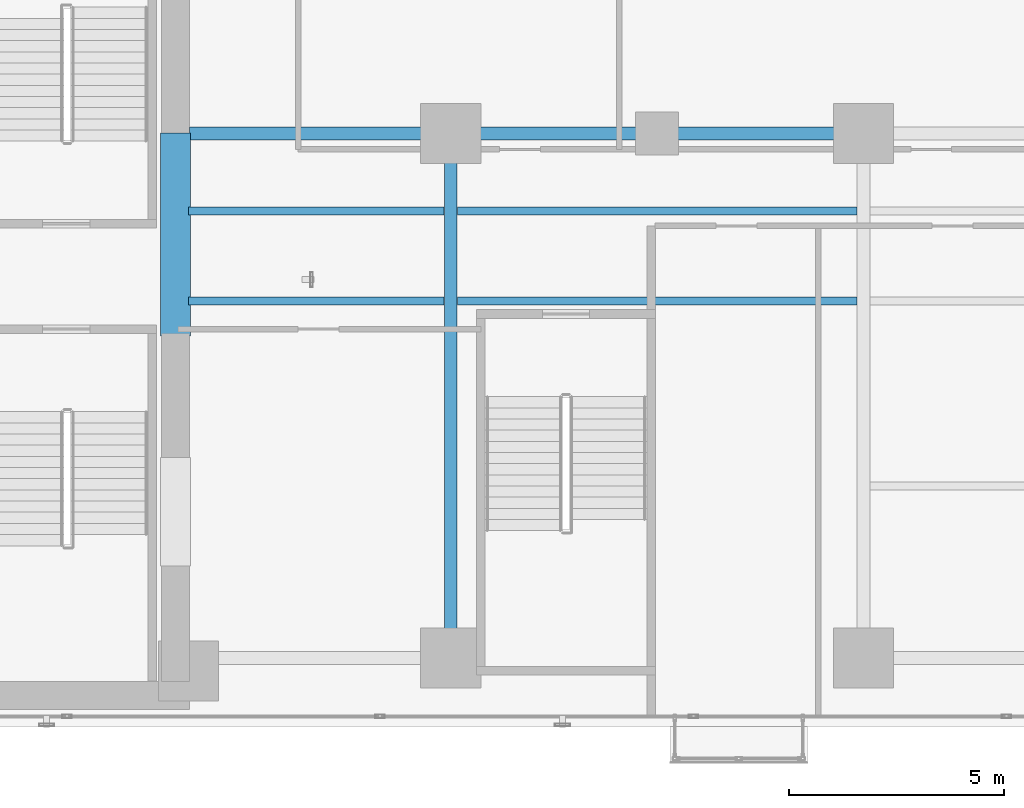
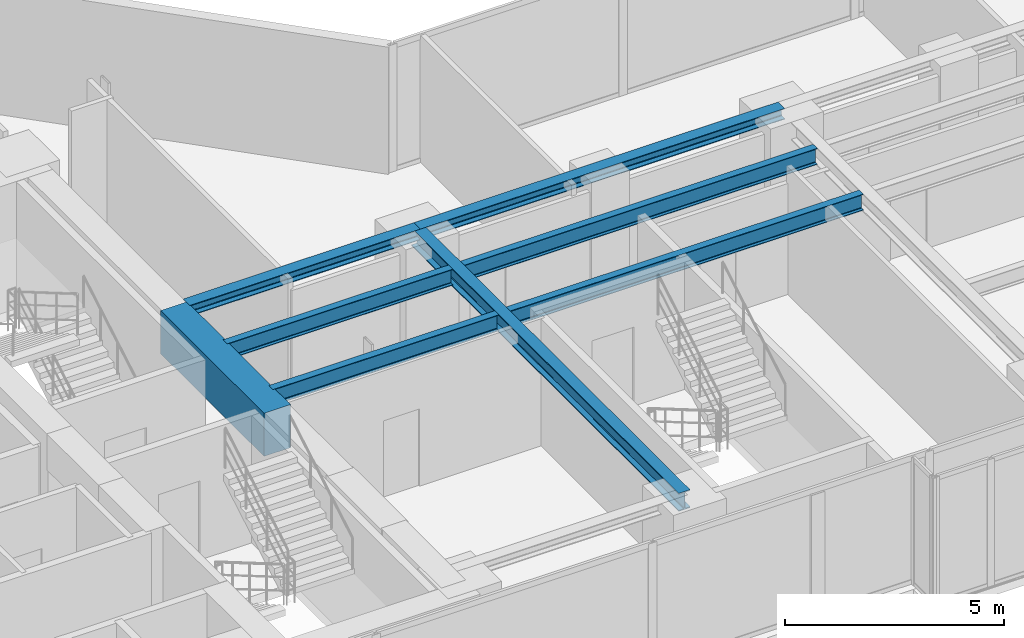
# One storey, part 6 of 29: 8 beams.
"""IFC4 building model written with IfcOpenShell, lengths in metres."""

from ifc_helpers import new_model, si_unit, direction, frame, origin, origin_2d, place, context, subcontext, project, spatial, rectangle, i_section, extrude, material, material_profile, profile_set, type_object, element, save


model = new_model("IFC4")

# Units and contexts
model_context = context("Model", 3, precision=1e-05, world=origin(), true_north=direction((0.0, 1.0)))
body_context = subcontext(model_context, "Body", "Model", "MODEL_VIEW")
ifc_project = project(units=[si_unit("LENGTHUNIT", "METRE"), si_unit("AREAUNIT", "SQUARE_METRE"), si_unit("VOLUMEUNIT", "CUBIC_METRE"), si_unit("PLANEANGLEUNIT", "RADIAN"), si_unit("MASSUNIT", "GRAM", prefix="KILO")], contexts=[model_context])

# Site, building, storey
site_placement = place(None, origin())
site = spatial("IfcSite", under=ifc_project, at=site_placement, CompositionType="ELEMENT")
building_placement = place(site_placement, origin())
building = spatial("IfcBuilding", under=site, at=building_placement, Name="Kolvaren Waterfront Exchange", CompositionType="ELEMENT")
storey_placement = place(building_placement, frame((0.0, 0.0, 129.699951171875)))
storey = spatial("IfcBuildingStorey", under=building, at=storey_placement, Name="L33", CompositionType="ELEMENT", Elevation=129.699951171875)

# Beams
ifc_material_1 = material(Name="Steel S355", Category="steel")
ifc_material_profile_1 = material_profile(ifc_material_1, i_section(OverallWidth=0.300048828125, OverallDepth=0.300048828125, WebThickness=0.010986328125, FlangeThickness=0.01904296875, FilletRadius=0.027099609375, at=origin_2d()), Name="HEB300")
ifc_profile_set_1 = profile_set([ifc_material_profile_1], Name="Steel S355")
beam_type_1 = type_object("IfcBeamType", Name="STR-BM-HEB300", PredefinedType="SPANDREL", material=ifc_profile_set_1)
beam_1_placement = place(storey_placement, frame((21.125, 17.39990234375, 3.39013671875), z_axis=(1.0, 0.0, 0.0), x_axis=(0.0, 1.0, 0.0)))
element("IfcBeam", 1, at=beam_1_placement, inside=storey, type_object=beam_type_1, Name="L33 east-arm spandrel N1", PredefinedType="SPANDREL", context=body_context, shape_type="SweptSolid", body=[
    extrude(i_section(OverallWidth=0.300048828125, OverallDepth=0.300048828125, WebThickness=0.010986328125, FlangeThickness=0.01904296875, FilletRadius=0.027099609375, at=origin_2d()), origin(), (0.0, 0.0, 1.0), 6.074951171875),
])
beam_2_placement = place(storey_placement, frame((27.199951171875, 17.39990234375, 3.39013671875), z_axis=(1.0, 0.0, 0.0), x_axis=(0.0, 1.0, 0.0)))
element("IfcBeam", 2, at=beam_2_placement, inside=storey, type_object=beam_type_1, Name="L33 east-arm spandrel N2", PredefinedType="SPANDREL", context=body_context, shape_type="SweptSolid", body=[
    extrude(i_section(OverallWidth=0.300048828125, OverallDepth=0.300048828125, WebThickness=0.010986328125, FlangeThickness=0.01904296875, FilletRadius=0.027099609375, at=origin_2d()), origin(), (0.0, 0.0, 1.0), 9.60009765625),
])
ifc_material_profile_2 = material_profile(ifc_material_1, i_section(OverallWidth=0.300048828125, OverallDepth=0.5, WebThickness=0.014404296875, FlangeThickness=0.028076171875, FilletRadius=0.027099609375, at=origin_2d()), Name="HEB500")
ifc_profile_set_2 = profile_set([ifc_material_profile_2], Name="Steel S355")
beam_type_2 = type_object("IfcBeamType", Name="STR-BM-HEB500", PredefinedType="BEAM", material=ifc_profile_set_2)
beam_3_placement = place(storey_placement, frame((27.199951171875, 5.199951171875, 3.2900390625), z_axis=(0.0, 1.0, 0.0), x_axis=(-1.0, 0.0, 0.0)))
element("IfcBeam", 3, at=beam_3_placement, inside=storey, type_object=beam_type_2, Name="L33 east-arm transverse girder X27", PredefinedType="BEAM", context=body_context, shape_type="SweptSolid", body=[
    extrude(i_section(OverallWidth=0.300048828125, OverallDepth=0.5, WebThickness=0.014404296875, FlangeThickness=0.028076171875, FilletRadius=0.027099609375, at=origin_2d()), origin(), (0.0, 0.0, 1.0), 12.199951171875),
])
ifc_material_profile_3 = material_profile(ifc_material_1, i_section(OverallWidth=0.18994140625, OverallDepth=0.449951171875, WebThickness=0.009521484375, FlangeThickness=0.0146484375, FilletRadius=0.02099609375, at=origin_2d()), Name="IPE450")
ifc_profile_set_3 = profile_set([ifc_material_profile_3], Name="Steel S355")
beam_type_3 = type_object("IfcBeamType", Name="STR-BM-IPE450", PredefinedType="JOIST", material=ifc_profile_set_3)
for number, where, z_axis, x_axis, name in (
    (4, (21.10009765625, 13.5, 3.31494140625), (1.0, 0.0, 0.0), (0.0, 1.0, 0.0), "L33 east-arm composite joist 1A"),
    (5, (21.10009765625, 15.60009765625, 3.31494140625), (1.0, 0.0, 0.0), (0.0, 1.0, 0.0), "L33 east-arm composite joist 1C"),
):
    element("IfcBeam", number, at=place(storey_placement, frame(where, z_axis=z_axis, x_axis=x_axis)), inside=storey, type_object=beam_type_3, Name=name, PredefinedType="JOIST", context=body_context, shape_type="SweptSolid", body=[
        extrude(i_section(OverallWidth=0.18994140625, OverallDepth=0.449951171875, WebThickness=0.009521484375, FlangeThickness=0.0146484375, FilletRadius=0.02099609375, at=origin_2d()), origin(), (0.0, 0.0, 1.0), 5.947998046875),
    ])
for number, where, z_axis, x_axis, name in (
    (6, (27.35205078125, 13.5, 3.31494140625), (1.0, 0.0, 0.0), (0.0, 1.0, 0.0), "L33 east-arm composite joist 2A"),
    (7, (27.35205078125, 15.60009765625, 3.31494140625), (1.0, 0.0, 0.0), (0.0, 1.0, 0.0), "L33 east-arm composite joist 2C"),
):
    element("IfcBeam", number, at=place(storey_placement, frame(where, z_axis=z_axis, x_axis=x_axis)), inside=storey, type_object=beam_type_3, Name=name, PredefinedType="JOIST", context=body_context, shape_type="SweptSolid", body=[
        extrude(i_section(OverallWidth=0.18994140625, OverallDepth=0.449951171875, WebThickness=0.009521484375, FlangeThickness=0.0146484375, FilletRadius=0.02099609375, at=origin_2d()), origin(), (0.0, 0.0, 1.0), 9.2958984375),
    ])
ifc_material_2 = material(Name="Concrete C70/85", Category="concrete")
ifc_material_profile_4 = material_profile(ifc_material_2, rectangle(XDim=0.699951171875, YDim=1.199951171875, at=origin_2d()), Name="RC-CB-1200x700")
ifc_profile_set_4 = profile_set([ifc_material_profile_4], Name="Concrete C70/85")
beam_type_4 = type_object("IfcBeamType", Name="STR-CB-1200", PredefinedType="SPANDREL", material=ifc_profile_set_4)
beam_4_placement = place(storey_placement, frame((20.800048828125, 12.68994140625, 2.93994140625), z_axis=(0.0, 1.0, 0.0), x_axis=(-1.0, 0.0, 0.0)))
element("IfcBeam", 8, at=beam_4_placement, inside=storey, type_object=beam_type_4, Name="L33 core coupling beam 2", PredefinedType="SPANDREL", context=body_context, shape_type="SweptSolid", body=[
    extrude(rectangle(XDim=0.699951171875, YDim=1.199951171875, at=origin_2d()), origin(), (0.0, 0.0, 1.0), 4.719970703125),
])

save(model, "model.ifc")
